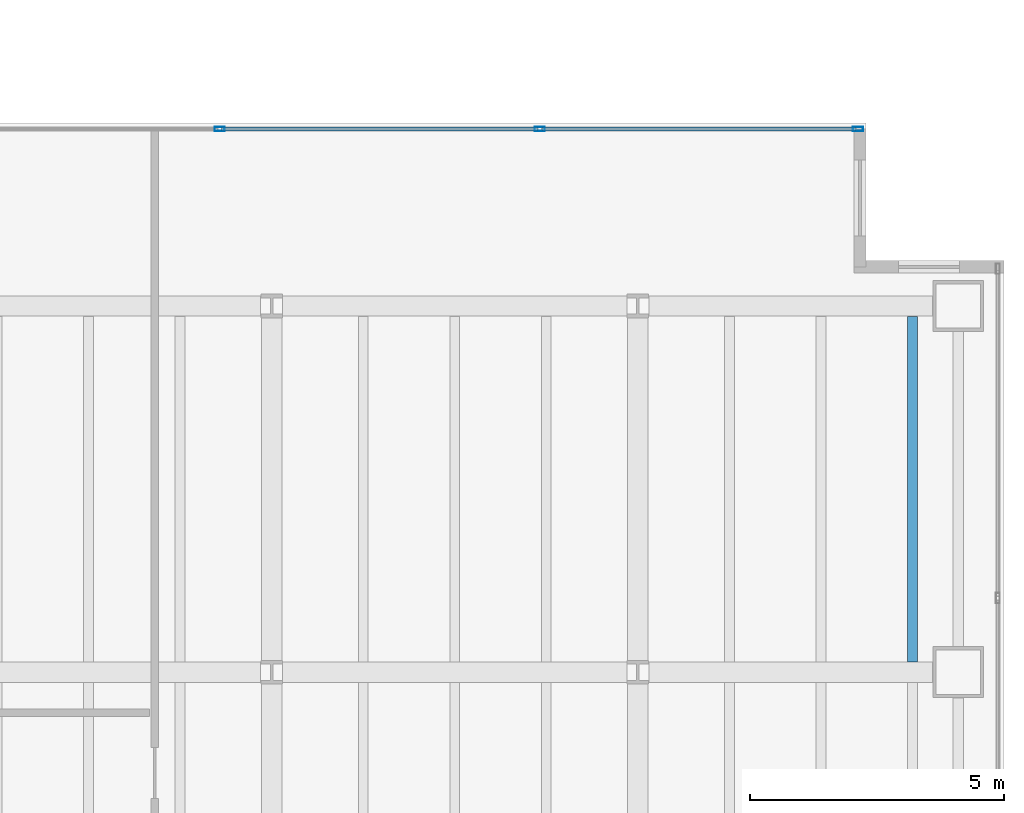
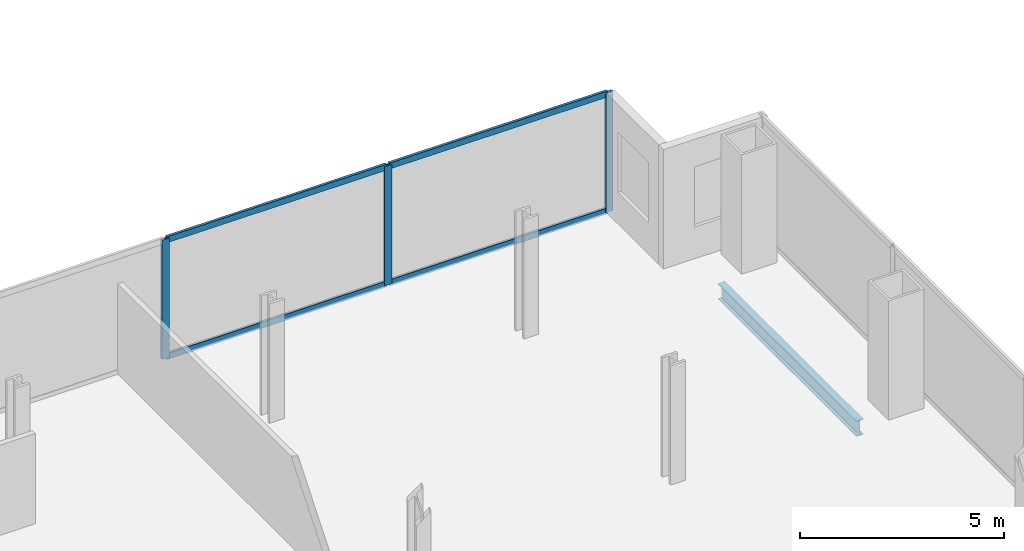
# One storey, part 12 of 23: 7 members, 1 beam, 1 element without a shape of its own.
"""IFC4 building model written with IfcOpenShell, lengths in metres."""

from ifc_helpers import new_model, si_unit, direction, frame, origin, origin_2d, place, context, subcontext, project, spatial, hollow_rectangle, i_section, extrude, material, material_profile, profile_set, type_object, element, aggregate, save


model = new_model("IFC4")

# Units and contexts
model_context = context("Model", 3, precision=1e-05, world=origin(), true_north=direction((0.0, 1.0)))
body_context = subcontext(model_context, "Body", "Model", "MODEL_VIEW")
ifc_project = project(units=[si_unit("LENGTHUNIT", "METRE"), si_unit("AREAUNIT", "SQUARE_METRE"), si_unit("VOLUMEUNIT", "CUBIC_METRE"), si_unit("PLANEANGLEUNIT", "RADIAN"), si_unit("MASSUNIT", "GRAM", prefix="KILO")], contexts=[model_context])

# Site, building, storey
site_placement = place(None, origin())
site = spatial("IfcSite", under=ifc_project, at=site_placement, CompositionType="ELEMENT")
building_placement = place(site_placement, origin())
building = spatial("IfcBuilding", under=site, at=building_placement, Name="Cobrela Telecom Tower", CompositionType="ELEMENT")
storey_placement = place(building_placement, frame((0.0, 0.0, 65.800048828125)))
storey = spatial("IfcBuildingStorey", under=building, at=storey_placement, Name="L16", CompositionType="ELEMENT", Elevation=65.800048828125)

# Beam
ifc_material_1 = material(Name="Steel ASTM A992 Grade 50", Category="steel")
ifc_material_profile_1 = material_profile(ifc_material_1, i_section(OverallWidth=0.193115234375, OverallDepth=0.467041015625, WebThickness=0.011474609375, FlangeThickness=0.01904296875, FilletRadius=0.012939453125, at=origin_2d()), Name="W18X65")
ifc_profile_set_1 = profile_set([ifc_material_profile_1], Name="Steel ASTM A992 Grade 50")
beam_type = type_object("IfcBeamType", Name="BM-JOIST-03", PredefinedType="JOIST", material=ifc_profile_set_1)
beam_placement = place(storey_placement, frame((48.60009765625, 14.6044921875, -0.513427734375), z_axis=(0.0, 1.0, 0.0), x_axis=(-1.0, 0.0, 0.0)))
element("IfcBeam", 1, at=beam_placement, inside=storey, type_object=beam_type, Name="L16 Secondary Composite Floor Beam J64", PredefinedType="JOIST", context=body_context, shape_type="SweptSolid", body=[
    extrude(i_section(OverallWidth=0.193115234375, OverallDepth=0.467041015625, WebThickness=0.011474609375, FlangeThickness=0.01904296875, FilletRadius=0.012939453125, at=origin_2d()), origin(), (0.0, 0.0, 1.0), 6.791015625),
])

# Curtain wall, members
ifc_material_2 = material(Name="Anodized Bronze Aluminium 6063-T6", Category="aluminium")
curtain_wall_type = type_object("IfcCurtainWallType", Name="CW-SYS-DATA", PredefinedType="USERDEFINED", material=ifc_material_2)
curtain_wall_placement = place(storey_placement, origin())
curtain_wall = element("IfcCurtainWall", 2, at=curtain_wall_placement, inside=storey, type_object=curtain_wall_type, Name="L16 Unitised Bronze Curtain Wall 11", ObjectType="UNITISED CURTAIN WALL", PredefinedType="USERDEFINED")
ifc_material_profile_2 = material_profile(ifc_material_2, hollow_rectangle(XDim=0.080078125, YDim=0.199951171875, WallThickness=0.00390625, at=origin_2d()), Name="ALU 80x200x4")
ifc_profile_set_2 = profile_set([ifc_material_profile_2], Name="Anodized Bronze Aluminium 6063-T6")
member_type_1 = type_object("IfcMemberType", Name="CW-SYS-DATA-MUL", PredefinedType="MULLION", material=ifc_profile_set_2)
member_1_placement = place(storey_placement, frame((34.9765625, 25.080078125, 0.0), z_axis=(0.0, 0.0, 1.0), x_axis=(0.0, 1.0, 0.0)))
member_1 = element("IfcMember", 3, at=member_1_placement, type_object=member_type_1, Name="CW-DATA mullion 2", PredefinedType="MULLION", context=body_context, shape_type="SweptSolid", body=[
    extrude(hollow_rectangle(XDim=0.080078125, YDim=0.199951171875, WallThickness=0.00390625, at=origin_2d()), origin(), (0.0, 0.0, 1.0), 3.570068359375),
])
member_2_placement = place(storey_placement, frame((41.2734375, 25.080078125, 0.0), z_axis=(0.0, 0.0, 1.0), x_axis=(0.0, 1.0, 0.0)))
member_2 = element("IfcMember", 4, at=member_2_placement, type_object=member_type_1, Name="CW-DATA mullion 3", PredefinedType="MULLION", context=body_context, shape_type="SweptSolid", body=[
    extrude(hollow_rectangle(XDim=0.080078125, YDim=0.199951171875, WallThickness=0.00390625, at=origin_2d()), origin(), (0.0, 0.0, 1.0), 3.570068359375),
])
member_3_placement = place(storey_placement, frame((47.530029296875, 25.080078125, 0.0), z_axis=(0.0, 0.0, 1.0), x_axis=(0.0, 1.0, 0.0)))
member_3 = element("IfcMember", 5, at=member_3_placement, type_object=member_type_1, Name="CW-DATA mullion 4", PredefinedType="MULLION", context=body_context, shape_type="SweptSolid", body=[
    extrude(hollow_rectangle(XDim=0.080078125, YDim=0.199951171875, WallThickness=0.00390625, at=origin_2d()), origin(), (0.0, 0.0, 1.0), 3.570068359375),
])
ifc_material_profile_3 = material_profile(ifc_material_2, hollow_rectangle(XDim=0.074951171875, YDim=0.179931640625, WallThickness=0.00390625, at=origin_2d()), Name="ALU 75x180x4")
ifc_profile_set_3 = profile_set([ifc_material_profile_3], Name="Anodized Bronze Aluminium 6063-T6")
member_type_2 = type_object("IfcMemberType", Name="CW-SYS-DATA-TRN", PredefinedType="USERDEFINED", material=ifc_profile_set_3)
member_4_placement = place(storey_placement, frame((35.0166015625, 25.080078125, 0.037353515625), z_axis=(1.0, 0.0, 0.0), x_axis=(0.0, 1.0, 0.0)))
member_4 = element("IfcMember", 6, at=member_4_placement, type_object=member_type_2, Name="CW-DATA transom 2.1", ObjectType="TRANSOM", PredefinedType="USERDEFINED", context=body_context, shape_type="SweptSolid", body=[
    extrude(hollow_rectangle(XDim=0.074951171875, YDim=0.179931640625, WallThickness=0.00390625, at=origin_2d()), origin(), (0.0, 0.0, 1.0), 6.216796875),
])
member_5_placement = place(storey_placement, frame((35.0166015625, 25.080078125, 3.532470703125), z_axis=(1.0, 0.0, 0.0), x_axis=(0.0, 1.0, 0.0)))
member_5 = element("IfcMember", 7, at=member_5_placement, type_object=member_type_2, Name="CW-DATA transom 2.2", ObjectType="TRANSOM", PredefinedType="USERDEFINED", context=body_context, shape_type="SweptSolid", body=[
    extrude(hollow_rectangle(XDim=0.074951171875, YDim=0.179931640625, WallThickness=0.00390625, at=origin_2d()), origin(), (0.0, 0.0, 1.0), 6.216796875),
])
member_6_placement = place(storey_placement, frame((41.313232421875, 25.080078125, 0.037353515625), z_axis=(1.0, 0.0, 0.0), x_axis=(0.0, 1.0, 0.0)))
member_6 = element("IfcMember", 8, at=member_6_placement, type_object=member_type_2, Name="CW-DATA transom 3.1", ObjectType="TRANSOM", PredefinedType="USERDEFINED", context=body_context, shape_type="SweptSolid", body=[
    extrude(hollow_rectangle(XDim=0.074951171875, YDim=0.179931640625, WallThickness=0.00390625, at=origin_2d()), origin(), (0.0, 0.0, 1.0), 6.1767578125),
])
member_7_placement = place(storey_placement, frame((41.313232421875, 25.080078125, 3.532470703125), z_axis=(1.0, 0.0, 0.0), x_axis=(0.0, 1.0, 0.0)))
member_7 = element("IfcMember", 9, at=member_7_placement, type_object=member_type_2, Name="CW-DATA transom 3.2", ObjectType="TRANSOM", PredefinedType="USERDEFINED", context=body_context, shape_type="SweptSolid", body=[
    extrude(hollow_rectangle(XDim=0.074951171875, YDim=0.179931640625, WallThickness=0.00390625, at=origin_2d()), origin(), (0.0, 0.0, 1.0), 6.1767578125),
])
aggregate(curtain_wall, [member_1, member_2, member_3, member_4, member_5, member_6, member_7])

save(model, "model.ifc")
